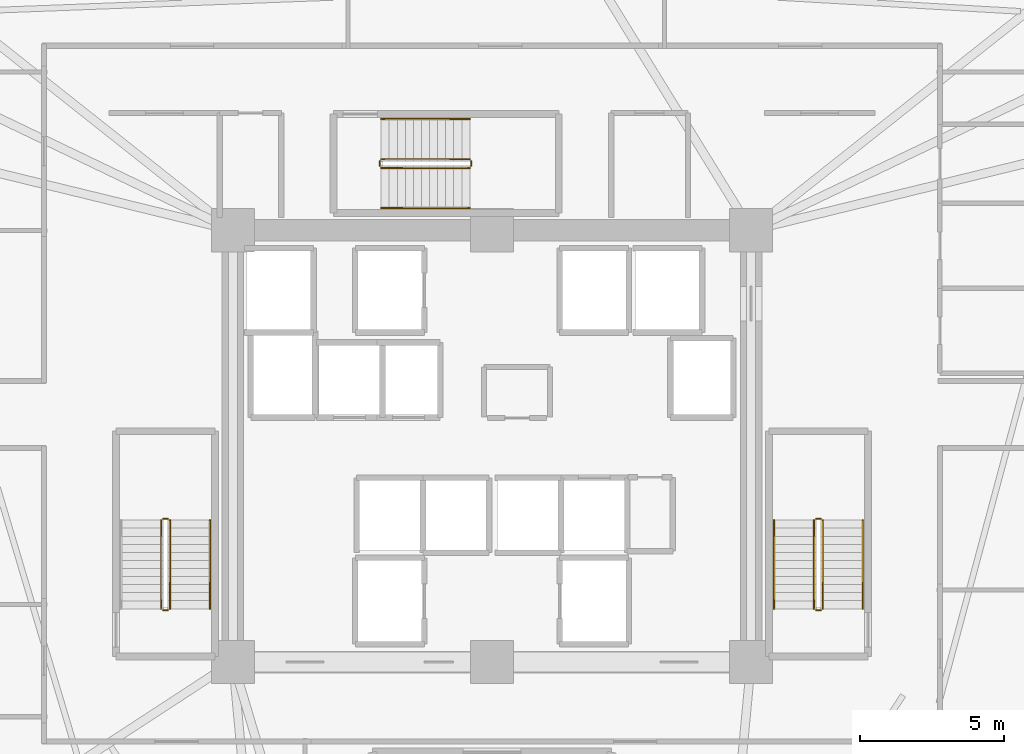
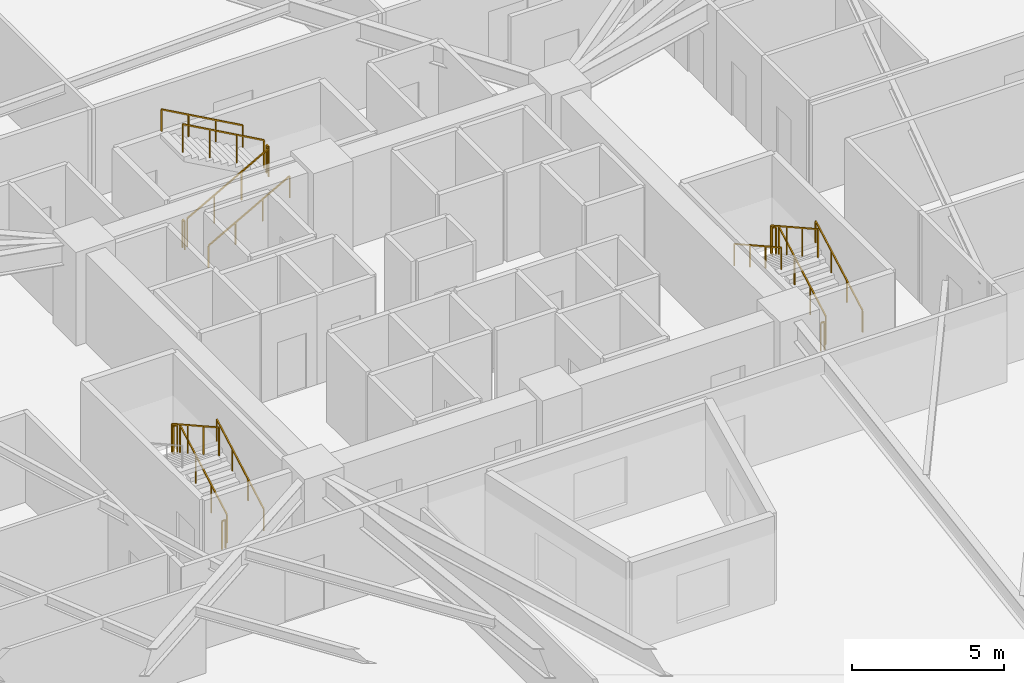
# One storey, part 9 of 9: 17 railings.
"""IFC4 building model written with IfcOpenShell, lengths in metres."""

from ifc_helpers import new_model, si_unit, direction, frame, origin, origin_2d, place, context, subcontext, project, spatial, rectangle, extrude, material, type_object, element, save


model = new_model("IFC4")

# Units and contexts
model_context = context("Model", 3, precision=1e-05, world=origin(), true_north=direction((0.0, 1.0)))
body_context = subcontext(model_context, "Body", "Model", "MODEL_VIEW")
ifc_project = project(units=[si_unit("LENGTHUNIT", "METRE"), si_unit("AREAUNIT", "SQUARE_METRE"), si_unit("VOLUMEUNIT", "CUBIC_METRE"), si_unit("PLANEANGLEUNIT", "RADIAN"), si_unit("MASSUNIT", "GRAM", prefix="KILO")], contexts=[model_context])

# Site, building, storey
site_placement = place(None, origin())
site = spatial("IfcSite", under=ifc_project, at=site_placement, CompositionType="ELEMENT")
building_placement = place(site_placement, origin())
building = spatial("IfcBuilding", under=site, at=building_placement, Name="Liaohun Quay Tower", CompositionType="ELEMENT")
storey_placement = place(building_placement, frame((0.0, 0.0, 102.0)))
storey = spatial("IfcBuildingStorey", under=building, at=storey_placement, Name="L26", CompositionType="ELEMENT", Elevation=102.0)

# Railings
ifc_material_1 = material(Name="Painted tubular steel", Category="steel")
railing_type_1 = type_object("IfcRailingType", Name="RLG-GUARD-STR", PredefinedType="GUARDRAIL", material=ifc_material_1)
railing_1_placement = place(storey_placement, frame((48.81005859375, 48.35009765625, 0.15625)))
element("IfcRailing", 1, at=railing_1_placement, inside=storey, type_object=railing_type_1, Name="L26 ST-1 stair guard 1", PredefinedType="GUARDRAIL", context=body_context, shape_type="SweptSolid", body=[
    extrude(rectangle(XDim=0.048095703125, YDim=0.048095703125, at=origin_2d()), frame((0.0, 0.0, 1.1259765625), z_axis=(0.0, 0.873225103656, 0.487317061414), x_axis=(-1.0, 0.0, 0.0)), (0.0, 0.0, 1.0), 3.52685546875),
    extrude(rectangle(XDim=0.0419921875, YDim=0.0419921875, at=origin_2d()), origin(), (0.0, 0.0, 1.0), 1.101806640625),
    extrude(rectangle(XDim=0.0419921875, YDim=0.0419921875, at=origin_2d()), frame((0.0, 1.026611328125, 0.572998046875)), (0.0, 0.0, 1.0), 1.101806640625),
    extrude(rectangle(XDim=0.0419921875, YDim=0.0419921875, at=origin_2d()), frame((0.0, 2.05322265625, 1.145751953125)), (0.0, 0.0, 1.0), 1.101806640625),
    extrude(rectangle(XDim=0.0419921875, YDim=0.0419921875, at=origin_2d()), frame((0.0, 3.079833984375, 1.71875)), (0.0, 0.0, 1.0), 1.101806640625),
])
railing_2_placement = place(storey_placement, frame((48.72998046875, 51.47998046875, 1.875)))
element("IfcRailing", 2, at=railing_2_placement, inside=storey, type_object=railing_type_1, Name="L26 ST-1 stair guard 2", PredefinedType="GUARDRAIL", context=body_context, shape_type="SweptSolid", body=[
    extrude(rectangle(XDim=0.048095703125, YDim=0.048095703125, at=origin_2d()), frame((0.0, 0.0, 1.1259765625), z_axis=(-1.0, 0.0, 0.0), x_axis=(0.0, -1.0, 0.0)), (0.0, 0.0, 1.0), 0.139892578125),
    extrude(rectangle(XDim=0.0419921875, YDim=0.0419921875, at=origin_2d()), origin(), (0.0, 0.0, 1.0), 1.101806640625),
    extrude(rectangle(XDim=0.0419921875, YDim=0.0419921875, at=origin_2d()), frame((-0.139892578125, 0.0, 0.0)), (0.0, 0.0, 1.0), 1.101806640625),
])
railing_3_placement = place(storey_placement, frame((48.510009765625, 51.429931640625, 2.03125)))
element("IfcRailing", 3, at=railing_3_placement, inside=storey, type_object=railing_type_1, Name="L26 ST-1 stair guard 3", PredefinedType="GUARDRAIL", context=body_context, shape_type="SweptSolid", body=[
    extrude(rectangle(XDim=0.048095703125, YDim=0.048095703125, at=origin_2d()), frame((0.0, 0.0, 1.1259765625), z_axis=(0.0, -0.873225103656, 0.487317061414), x_axis=(1.0, 0.0, 0.0)), (0.0, 0.0, 1.0), 3.52685546875),
    extrude(rectangle(XDim=0.0419921875, YDim=0.0419921875, at=origin_2d()), origin(), (0.0, 0.0, 1.0), 1.101806640625),
    extrude(rectangle(XDim=0.0419921875, YDim=0.0419921875, at=origin_2d()), frame((0.0, -1.026611328125, 0.572998046875)), (0.0, 0.0, 1.0), 1.101806640625),
    extrude(rectangle(XDim=0.0419921875, YDim=0.0419921875, at=origin_2d()), frame((0.0, -2.05322265625, 1.145751953125)), (0.0, 0.0, 1.0), 1.101806640625),
    extrude(rectangle(XDim=0.0419921875, YDim=0.0419921875, at=origin_2d()), frame((0.0, -3.079833984375, 1.71875)), (0.0, 0.0, 1.0), 1.101806640625),
])
railing_4_placement = place(storey_placement, frame((48.72998046875, 48.300048828125, 0.0)))
element("IfcRailing", 4, at=railing_4_placement, inside=storey, type_object=railing_type_1, Name="L26 ST-1 stair guard 4", PredefinedType="GUARDRAIL", context=body_context, shape_type="SweptSolid", body=[
    extrude(rectangle(XDim=0.048095703125, YDim=0.048095703125, at=origin_2d()), frame((0.0, 0.0, 1.1259765625), z_axis=(-1.0, 0.0, 0.0), x_axis=(0.0, -1.0, 0.0)), (0.0, 0.0, 1.0), 0.139892578125),
    extrude(rectangle(XDim=0.0419921875, YDim=0.0419921875, at=origin_2d()), origin(), (0.0, 0.0, 1.0), 1.101806640625),
    extrude(rectangle(XDim=0.0419921875, YDim=0.0419921875, at=origin_2d()), frame((-0.139892578125, 0.0, 0.0)), (0.0, 0.0, 1.0), 1.101806640625),
])
railing_5_placement = place(storey_placement, frame((71.489990234375, 48.35009765625, 0.15625)))
element("IfcRailing", 5, at=railing_5_placement, inside=storey, type_object=railing_type_1, Name="L26 ST-2 stair guard 1", PredefinedType="GUARDRAIL", context=body_context, shape_type="SweptSolid", body=[
    extrude(rectangle(XDim=0.048095703125, YDim=0.048095703125, at=origin_2d()), frame((0.0, 0.0, 1.1259765625), z_axis=(0.0, 0.873225103656, 0.487317061414), x_axis=(-1.0, 0.0, 0.0)), (0.0, 0.0, 1.0), 3.52685546875),
    extrude(rectangle(XDim=0.0419921875, YDim=0.0419921875, at=origin_2d()), origin(), (0.0, 0.0, 1.0), 1.101806640625),
    extrude(rectangle(XDim=0.0419921875, YDim=0.0419921875, at=origin_2d()), frame((0.0, 1.026611328125, 0.572998046875)), (0.0, 0.0, 1.0), 1.101806640625),
    extrude(rectangle(XDim=0.0419921875, YDim=0.0419921875, at=origin_2d()), frame((0.0, 2.05322265625, 1.145751953125)), (0.0, 0.0, 1.0), 1.101806640625),
    extrude(rectangle(XDim=0.0419921875, YDim=0.0419921875, at=origin_2d()), frame((0.0, 3.079833984375, 1.71875)), (0.0, 0.0, 1.0), 1.101806640625),
])
railing_6_placement = place(storey_placement, frame((71.409912109375, 51.47998046875, 1.875)))
element("IfcRailing", 6, at=railing_6_placement, inside=storey, type_object=railing_type_1, Name="L26 ST-2 stair guard 2", PredefinedType="GUARDRAIL", context=body_context, shape_type="SweptSolid", body=[
    extrude(rectangle(XDim=0.048095703125, YDim=0.048095703125, at=origin_2d()), frame((0.0, 0.0, 1.1259765625), z_axis=(-1.0, 0.0, 0.0), x_axis=(0.0, -1.0, 0.0)), (0.0, 0.0, 1.0), 0.139892578125),
    extrude(rectangle(XDim=0.0419921875, YDim=0.0419921875, at=origin_2d()), origin(), (0.0, 0.0, 1.0), 1.101806640625),
    extrude(rectangle(XDim=0.0419921875, YDim=0.0419921875, at=origin_2d()), frame((-0.139892578125, 0.0, 0.0)), (0.0, 0.0, 1.0), 1.101806640625),
])
railing_7_placement = place(storey_placement, frame((71.18994140625, 51.429931640625, 2.03125)))
element("IfcRailing", 7, at=railing_7_placement, inside=storey, type_object=railing_type_1, Name="L26 ST-2 stair guard 3", PredefinedType="GUARDRAIL", context=body_context, shape_type="SweptSolid", body=[
    extrude(rectangle(XDim=0.048095703125, YDim=0.048095703125, at=origin_2d()), frame((0.0, 0.0, 1.1259765625), z_axis=(0.0, -0.873225103656, 0.487317061414), x_axis=(1.0, 0.0, 0.0)), (0.0, 0.0, 1.0), 3.52685546875),
    extrude(rectangle(XDim=0.0419921875, YDim=0.0419921875, at=origin_2d()), origin(), (0.0, 0.0, 1.0), 1.101806640625),
    extrude(rectangle(XDim=0.0419921875, YDim=0.0419921875, at=origin_2d()), frame((0.0, -1.026611328125, 0.572998046875)), (0.0, 0.0, 1.0), 1.101806640625),
    extrude(rectangle(XDim=0.0419921875, YDim=0.0419921875, at=origin_2d()), frame((0.0, -2.05322265625, 1.145751953125)), (0.0, 0.0, 1.0), 1.101806640625),
    extrude(rectangle(XDim=0.0419921875, YDim=0.0419921875, at=origin_2d()), frame((0.0, -3.079833984375, 1.71875)), (0.0, 0.0, 1.0), 1.101806640625),
])
railing_8_placement = place(storey_placement, frame((71.409912109375, 48.300048828125, 0.0)))
element("IfcRailing", 8, at=railing_8_placement, inside=storey, type_object=railing_type_1, Name="L26 ST-2 stair guard 4", PredefinedType="GUARDRAIL", context=body_context, shape_type="SweptSolid", body=[
    extrude(rectangle(XDim=0.048095703125, YDim=0.048095703125, at=origin_2d()), frame((0.0, 0.0, 1.1259765625), z_axis=(-1.0, 0.0, 0.0), x_axis=(0.0, -1.0, 0.0)), (0.0, 0.0, 1.0), 0.139892578125),
    extrude(rectangle(XDim=0.0419921875, YDim=0.0419921875, at=origin_2d()), origin(), (0.0, 0.0, 1.0), 1.101806640625),
    extrude(rectangle(XDim=0.0419921875, YDim=0.0419921875, at=origin_2d()), frame((-0.139892578125, 0.0, 0.0)), (0.0, 0.0, 1.0), 1.101806640625),
])
railing_9_placement = place(storey_placement, frame((56.14990234375, 63.669921875, 0.15625)))
element("IfcRailing", 9, at=railing_9_placement, inside=storey, type_object=railing_type_1, Name="L26 ST-3 stair guard 1", PredefinedType="GUARDRAIL", context=body_context, shape_type="SweptSolid", body=[
    extrude(rectangle(XDim=0.048095703125, YDim=0.048095703125, at=origin_2d()), frame((0.0, 0.0, 1.1259765625), z_axis=(0.873241540666, 0.0, 0.487287606713), x_axis=(0.0, 1.0, 0.0)), (0.0, 0.0, 1.0), 3.527099609375),
    extrude(rectangle(XDim=0.0419921875, YDim=0.0419921875, at=origin_2d()), origin(), (0.0, 0.0, 1.0), 1.101806640625),
    extrude(rectangle(XDim=0.0419921875, YDim=0.0419921875, at=origin_2d()), frame((1.026611328125, 0.0, 0.572998046875)), (0.0, 0.0, 1.0), 1.101806640625),
    extrude(rectangle(XDim=0.0419921875, YDim=0.0419921875, at=origin_2d()), frame((2.053466796875, 0.0, 1.145751953125)), (0.0, 0.0, 1.0), 1.101806640625),
    extrude(rectangle(XDim=0.0419921875, YDim=0.0419921875, at=origin_2d()), frame((3.080078125, 0.0, 1.71875)), (0.0, 0.0, 1.0), 1.101806640625),
])
railing_10_placement = place(storey_placement, frame((59.280029296875, 63.75, 1.875)))
element("IfcRailing", 10, at=railing_10_placement, inside=storey, type_object=railing_type_1, Name="L26 ST-3 stair guard 2", PredefinedType="GUARDRAIL", context=body_context, shape_type="SweptSolid", body=[
    extrude(rectangle(XDim=0.048095703125, YDim=0.048095703125, at=origin_2d()), frame((0.0, 0.0, 1.1259765625), z_axis=(0.0, 1.0, 0.0), x_axis=(-1.0, 0.0, 0.0)), (0.0, 0.0, 1.0), 0.139892578125),
    extrude(rectangle(XDim=0.0419921875, YDim=0.0419921875, at=origin_2d()), origin(), (0.0, 0.0, 1.0), 1.101806640625),
    extrude(rectangle(XDim=0.0419921875, YDim=0.0419921875, at=origin_2d()), frame((0.0, 0.139892578125, 0.0)), (0.0, 0.0, 1.0), 1.101806640625),
])
railing_11_placement = place(storey_placement, frame((59.22998046875, 63.969970703125, 2.03125)))
element("IfcRailing", 11, at=railing_11_placement, inside=storey, type_object=railing_type_1, Name="L26 ST-3 stair guard 3", PredefinedType="GUARDRAIL", context=body_context, shape_type="SweptSolid", body=[
    extrude(rectangle(XDim=0.048095703125, YDim=0.048095703125, at=origin_2d()), frame((0.0, 0.0, 1.1259765625), z_axis=(-0.873241540666, 0.0, 0.487287606713), x_axis=(0.0, -1.0, 0.0)), (0.0, 0.0, 1.0), 3.527099609375),
    extrude(rectangle(XDim=0.0419921875, YDim=0.0419921875, at=origin_2d()), origin(), (0.0, 0.0, 1.0), 1.101806640625),
    extrude(rectangle(XDim=0.0419921875, YDim=0.0419921875, at=origin_2d()), frame((-1.026611328125, 0.0, 0.572998046875)), (0.0, 0.0, 1.0), 1.101806640625),
    extrude(rectangle(XDim=0.0419921875, YDim=0.0419921875, at=origin_2d()), frame((-2.053466796875, 0.0, 1.145751953125)), (0.0, 0.0, 1.0), 1.101806640625),
    extrude(rectangle(XDim=0.0419921875, YDim=0.0419921875, at=origin_2d()), frame((-3.080078125, 0.0, 1.71875)), (0.0, 0.0, 1.0), 1.101806640625),
])
railing_12_placement = place(storey_placement, frame((56.10009765625, 63.75, 0.0)))
element("IfcRailing", 12, at=railing_12_placement, inside=storey, type_object=railing_type_1, Name="L26 ST-3 stair guard 4", PredefinedType="GUARDRAIL", context=body_context, shape_type="SweptSolid", body=[
    extrude(rectangle(XDim=0.048095703125, YDim=0.048095703125, at=origin_2d()), frame((0.0, 0.0, 1.1259765625), z_axis=(0.0, 1.0, 0.0), x_axis=(-1.0, 0.0, 0.0)), (0.0, 0.0, 1.0), 0.139892578125),
    extrude(rectangle(XDim=0.0419921875, YDim=0.0419921875, at=origin_2d()), origin(), (0.0, 0.0, 1.0), 1.101806640625),
    extrude(rectangle(XDim=0.0419921875, YDim=0.0419921875, at=origin_2d()), frame((0.0, 0.139892578125, 0.0)), (0.0, 0.0, 1.0), 1.101806640625),
])
ifc_material_2 = material(Name="Brushed stainless steel", Category="steel")
railing_type_2 = type_object("IfcRailingType", Name="RLG-HND-STR", PredefinedType="HANDRAIL", material=ifc_material_2)
for number, where, name in (
    (13, (50.199951171875, 48.35009765625, 0.15625), "L26 ST-1 stair handrail 1"),
    (14, (72.8798828125, 48.35009765625, 0.15625), "L26 ST-2 stair handrail 1"),
):
    element("IfcRailing", number, at=place(storey_placement, frame(where)), inside=storey, type_object=railing_type_2, Name=name, PredefinedType="HANDRAIL", context=body_context, shape_type="SweptSolid", body=[
        extrude(rectangle(XDim=0.048095703125, YDim=0.048095703125, at=origin_2d()), frame((0.0, 0.0, 0.8759765625), z_axis=(0.0, 0.873225103656, 0.487317061414), x_axis=(-1.0, 0.0, 0.0)), (0.0, 0.0, 1.0), 3.52685546875),
        extrude(rectangle(XDim=0.0419921875, YDim=0.0419921875, at=origin_2d()), origin(), (0.0, 0.0, 1.0), 0.851806640625),
        extrude(rectangle(XDim=0.0419921875, YDim=0.0419921875, at=origin_2d()), frame((0.0, 1.026611328125, 0.572998046875)), (0.0, 0.0, 1.0), 0.851806640625),
        extrude(rectangle(XDim=0.0419921875, YDim=0.0419921875, at=origin_2d()), frame((0.0, 2.05322265625, 1.145751953125)), (0.0, 0.0, 1.0), 0.851806640625),
        extrude(rectangle(XDim=0.0419921875, YDim=0.0419921875, at=origin_2d()), frame((0.0, 3.079833984375, 1.71875)), (0.0, 0.0, 1.0), 0.851806640625),
    ])
railing_13_placement = place(storey_placement, frame((69.800048828125, 51.429931640625, 2.03125)))
element("IfcRailing", 15, at=railing_13_placement, inside=storey, type_object=railing_type_2, Name="L26 ST-2 stair handrail 2", PredefinedType="HANDRAIL", context=body_context, shape_type="SweptSolid", body=[
    extrude(rectangle(XDim=0.048095703125, YDim=0.048095703125, at=origin_2d()), frame((0.0, 0.0, 0.8759765625), z_axis=(0.0, -0.873225103656, 0.487317061414), x_axis=(1.0, 0.0, 0.0)), (0.0, 0.0, 1.0), 3.52685546875),
    extrude(rectangle(XDim=0.0419921875, YDim=0.0419921875, at=origin_2d()), origin(), (0.0, 0.0, 1.0), 0.851806640625),
    extrude(rectangle(XDim=0.0419921875, YDim=0.0419921875, at=origin_2d()), frame((0.0, -1.026611328125, 0.572998046875)), (0.0, 0.0, 1.0), 0.851806640625),
    extrude(rectangle(XDim=0.0419921875, YDim=0.0419921875, at=origin_2d()), frame((0.0, -2.05322265625, 1.145751953125)), (0.0, 0.0, 1.0), 0.851806640625),
    extrude(rectangle(XDim=0.0419921875, YDim=0.0419921875, at=origin_2d()), frame((0.0, -3.079833984375, 1.71875)), (0.0, 0.0, 1.0), 0.851806640625),
])
railing_14_placement = place(storey_placement, frame((56.14990234375, 62.280029296875, 0.15625)))
element("IfcRailing", 16, at=railing_14_placement, inside=storey, type_object=railing_type_2, Name="L26 ST-3 stair handrail 1", PredefinedType="HANDRAIL", context=body_context, shape_type="SweptSolid", body=[
    extrude(rectangle(XDim=0.048095703125, YDim=0.048095703125, at=origin_2d()), frame((0.0, 0.0, 0.8759765625), z_axis=(0.873241540666, 0.0, 0.487287606713), x_axis=(0.0, 1.0, 0.0)), (0.0, 0.0, 1.0), 3.527099609375),
    extrude(rectangle(XDim=0.0419921875, YDim=0.0419921875, at=origin_2d()), origin(), (0.0, 0.0, 1.0), 0.851806640625),
    extrude(rectangle(XDim=0.0419921875, YDim=0.0419921875, at=origin_2d()), frame((1.026611328125, 0.0, 0.572998046875)), (0.0, 0.0, 1.0), 0.851806640625),
    extrude(rectangle(XDim=0.0419921875, YDim=0.0419921875, at=origin_2d()), frame((2.053466796875, 0.0, 1.145751953125)), (0.0, 0.0, 1.0), 0.851806640625),
    extrude(rectangle(XDim=0.0419921875, YDim=0.0419921875, at=origin_2d()), frame((3.080078125, 0.0, 1.71875)), (0.0, 0.0, 1.0), 0.851806640625),
])
railing_15_placement = place(storey_placement, frame((59.22998046875, 65.360107421875, 2.03125)))
element("IfcRailing", 17, at=railing_15_placement, inside=storey, type_object=railing_type_2, Name="L26 ST-3 stair handrail 2", PredefinedType="HANDRAIL", context=body_context, shape_type="SweptSolid", body=[
    extrude(rectangle(XDim=0.048095703125, YDim=0.048095703125, at=origin_2d()), frame((0.0, 0.0, 0.8759765625), z_axis=(-0.873241540666, 0.0, 0.487287606713), x_axis=(0.0, -1.0, 0.0)), (0.0, 0.0, 1.0), 3.527099609375),
    extrude(rectangle(XDim=0.0419921875, YDim=0.0419921875, at=origin_2d()), origin(), (0.0, 0.0, 1.0), 0.851806640625),
    extrude(rectangle(XDim=0.0419921875, YDim=0.0419921875, at=origin_2d()), frame((-1.026611328125, 0.0, 0.572998046875)), (0.0, 0.0, 1.0), 0.851806640625),
    extrude(rectangle(XDim=0.0419921875, YDim=0.0419921875, at=origin_2d()), frame((-2.053466796875, 0.0, 1.145751953125)), (0.0, 0.0, 1.0), 0.851806640625),
    extrude(rectangle(XDim=0.0419921875, YDim=0.0419921875, at=origin_2d()), frame((-3.080078125, 0.0, 1.71875)), (0.0, 0.0, 1.0), 0.851806640625),
])

save(model, "model.ifc")
